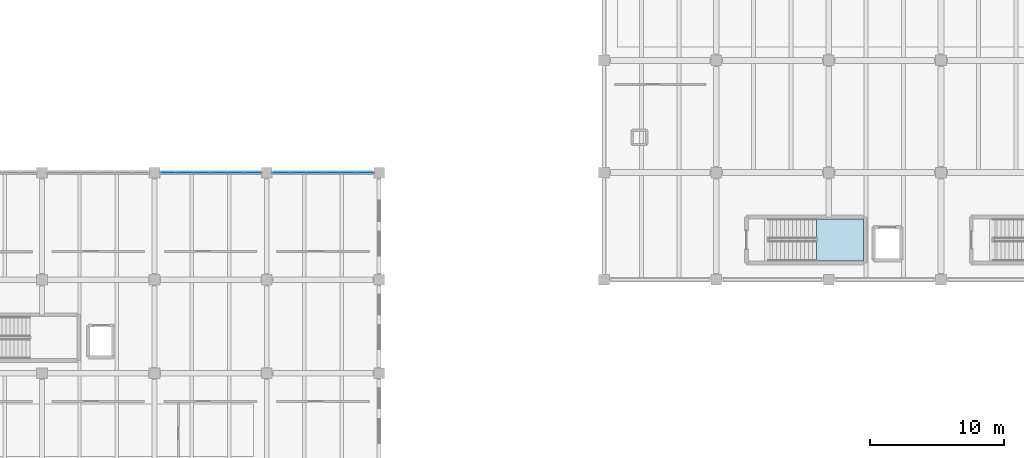
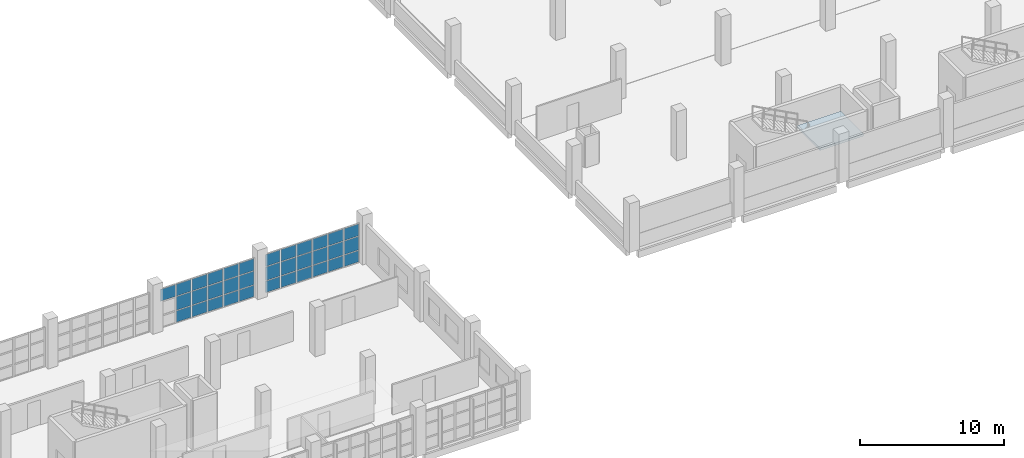
# One storey, part 126 of 177: 34 plates, 1 slab, 3 elements without a shape of their own.
"""IFC4 building model written with IfcOpenShell, lengths in metres."""

from ifc_helpers import new_model, si_unit, direction, frame, origin, origin_2d, place, context, subcontext, project, spatial, polyline, rectangle, outline, extrude, material, layer, layer_set, type_object, element, aggregate, save


model = new_model("IFC4")

# Units and contexts
model_context = context("Model", 3, precision=1e-05, world=origin(), true_north=direction((0.0, 1.0)))
body_context = subcontext(model_context, "Body", "Model", "MODEL_VIEW")
ifc_project = project(units=[si_unit("LENGTHUNIT", "METRE"), si_unit("AREAUNIT", "SQUARE_METRE"), si_unit("VOLUMEUNIT", "CUBIC_METRE"), si_unit("PLANEANGLEUNIT", "RADIAN"), si_unit("MASSUNIT", "GRAM", prefix="KILO"), si_unit("THERMODYNAMICTEMPERATUREUNIT", "KELVIN"), si_unit("POWERUNIT", "WATT")], contexts=[model_context])

# Site, building, storey
site_placement = place(None, origin())
site = spatial("IfcSite", under=ifc_project, at=site_placement, CompositionType="ELEMENT")
building_placement = place(site_placement, origin())
building = spatial("IfcBuilding", under=site, at=building_placement, Name="Mavoryth Pier Ferry Terminal", CompositionType="ELEMENT")
storey_placement = place(building_placement, frame((0.0, 0.0, 5.43994140625)))
storey = spatial("IfcBuildingStorey", under=building, at=storey_placement, Name="L01", CompositionType="ELEMENT", Elevation=5.43994140625)

# Curtain wall, plates
ifc_material_1 = material(Name="Anodised Aluminium and Solar-Control Low-E Glass", Category="aluminium")
ifc_layer_1 = layer(ifc_material_1, 0.239990234375, Name="Anodised Aluminium and Solar-Control Low-E Glass", Category="aluminium")
ifc_layer_set_1 = layer_set([ifc_layer_1], Name="Anodised Aluminium and Solar-Control Low-E Glass - CW-Operations-Mod1200")
curtain_wall_type = type_object("IfcCurtainWallType", Name="CW-Operations-Mod1200", PredefinedType="USERDEFINED", material=ifc_layer_set_1)
curtain_wall_1_placement = place(storey_placement, origin())
curtain_wall_1 = element("IfcCurtainWall", 1, at=curtain_wall_1_placement, inside=storey, type_object=curtain_wall_type, Name="Curtain Wall CW-0122-117", ObjectType="UNITISED CURTAIN WALL", PredefinedType="USERDEFINED")
ifc_material_2 = material(Name="Solar-Control Low-E Laminated Double Glazing", Category="glass")
ifc_layer_2 = layer(ifc_material_2, 0.02392578125, Name="Solar-Control Low-E Laminated Double Glazing", Category="glass")
ifc_layer_set_2 = layer_set([ifc_layer_2], Name="Solar-Control Low-E Laminated Double Glazing - Panel-LowE-DGU-24")
plate_type = type_object("IfcPlateType", Name="Panel-LowE-DGU-24", PredefinedType="CURTAIN_PANEL", material=ifc_layer_set_2)
plate_1_placement = place(storey_placement, frame((82.95166015625, 22.0, 0.06005859375), z_axis=(0.0, 0.0, 1.0), x_axis=(-1.0, 0.0, 0.0)))
plate_1 = element("IfcPlate", 2, at=plate_1_placement, type_object=plate_type, Name="CW06 panel 1.1", PredefinedType="CURTAIN_PANEL", context=body_context, shape_type="SweptSolid", body=[
    extrude(rectangle(XDim=1.1767578125, YDim=0.02392578125, at=origin_2d()), origin(), (0.0, 0.0, 1.0), 0.9599609375),
])
plate_2_placement = place(storey_placement, frame((82.95166015625, 22.0, 1.080078125), z_axis=(0.0, 0.0, 1.0), x_axis=(-1.0, 0.0, 0.0)))
plate_2 = element("IfcPlate", 3, at=plate_2_placement, type_object=plate_type, Name="CW06 panel 1.2", PredefinedType="CURTAIN_PANEL", context=body_context, shape_type="SweptSolid", body=[
    extrude(rectangle(XDim=1.1767578125, YDim=0.02392578125, at=origin_2d()), origin(), (0.0, 0.0, 1.0), 1.139892578125),
])
plate_3_placement = place(storey_placement, frame((82.95166015625, 22.0, 2.280029296875), z_axis=(0.0, 0.0, 1.0), x_axis=(-1.0, 0.0, 0.0)))
plate_3 = element("IfcPlate", 4, at=plate_3_placement, type_object=plate_type, Name="CW06 panel 1.3", PredefinedType="CURTAIN_PANEL", context=body_context, shape_type="SweptSolid", body=[
    extrude(rectangle(XDim=1.1767578125, YDim=0.02392578125, at=origin_2d()), origin(), (0.0, 0.0, 1.0), 1.0048828125),
])
plate_4_placement = place(storey_placement, frame((81.699951171875, 22.0, 0.06005859375), z_axis=(0.0, 0.0, 1.0), x_axis=(-1.0, 0.0, 0.0)))
plate_4 = element("IfcPlate", 5, at=plate_4_placement, type_object=plate_type, Name="CW06 panel 2.1", PredefinedType="CURTAIN_PANEL", context=body_context, shape_type="SweptSolid", body=[
    extrude(rectangle(XDim=1.206787109375, YDim=0.02392578125, at=origin_2d()), origin(), (0.0, 0.0, 1.0), 0.9599609375),
])
plate_5_placement = place(storey_placement, frame((81.699951171875, 22.0, 1.080078125), z_axis=(0.0, 0.0, 1.0), x_axis=(-1.0, 0.0, 0.0)))
plate_5 = element("IfcPlate", 6, at=plate_5_placement, type_object=plate_type, Name="CW06 panel 2.2", PredefinedType="CURTAIN_PANEL", context=body_context, shape_type="SweptSolid", body=[
    extrude(rectangle(XDim=1.206787109375, YDim=0.02392578125, at=origin_2d()), origin(), (0.0, 0.0, 1.0), 1.139892578125),
])
plate_6_placement = place(storey_placement, frame((81.699951171875, 22.0, 2.280029296875), z_axis=(0.0, 0.0, 1.0), x_axis=(-1.0, 0.0, 0.0)))
plate_6 = element("IfcPlate", 7, at=plate_6_placement, type_object=plate_type, Name="CW06 panel 2.3", PredefinedType="CURTAIN_PANEL", context=body_context, shape_type="SweptSolid", body=[
    extrude(rectangle(XDim=1.206787109375, YDim=0.02392578125, at=origin_2d()), origin(), (0.0, 0.0, 1.0), 1.0048828125),
])
plate_7_placement = place(storey_placement, frame((80.433349609375, 22.0, 0.06005859375), z_axis=(0.0, 0.0, 1.0), x_axis=(-1.0, 0.0, 0.0)))
plate_7 = element("IfcPlate", 8, at=plate_7_placement, type_object=plate_type, Name="CW06 panel 3.1", PredefinedType="CURTAIN_PANEL", context=body_context, shape_type="SweptSolid", body=[
    extrude(rectangle(XDim=1.206787109375, YDim=0.02392578125, at=origin_2d()), origin(), (0.0, 0.0, 1.0), 0.9599609375),
])
plate_8_placement = place(storey_placement, frame((80.433349609375, 22.0, 1.080078125), z_axis=(0.0, 0.0, 1.0), x_axis=(-1.0, 0.0, 0.0)))
plate_8 = element("IfcPlate", 9, at=plate_8_placement, type_object=plate_type, Name="CW06 panel 3.2", PredefinedType="CURTAIN_PANEL", context=body_context, shape_type="SweptSolid", body=[
    extrude(rectangle(XDim=1.206787109375, YDim=0.02392578125, at=origin_2d()), origin(), (0.0, 0.0, 1.0), 1.139892578125),
])
plate_9_placement = place(storey_placement, frame((80.433349609375, 22.0, 2.280029296875), z_axis=(0.0, 0.0, 1.0), x_axis=(-1.0, 0.0, 0.0)))
plate_9 = element("IfcPlate", 10, at=plate_9_placement, type_object=plate_type, Name="CW06 panel 3.3", PredefinedType="CURTAIN_PANEL", context=body_context, shape_type="SweptSolid", body=[
    extrude(rectangle(XDim=1.206787109375, YDim=0.02392578125, at=origin_2d()), origin(), (0.0, 0.0, 1.0), 1.0048828125),
])
plate_10_placement = place(storey_placement, frame((79.166748046875, 22.0, 0.06005859375), z_axis=(0.0, 0.0, 1.0), x_axis=(-1.0, 0.0, 0.0)))
plate_10 = element("IfcPlate", 11, at=plate_10_placement, type_object=plate_type, Name="CW06 panel 4.1", PredefinedType="CURTAIN_PANEL", context=body_context, shape_type="SweptSolid", body=[
    extrude(rectangle(XDim=1.206787109375, YDim=0.02392578125, at=origin_2d()), origin(), (0.0, 0.0, 1.0), 0.9599609375),
])
plate_11_placement = place(storey_placement, frame((79.166748046875, 22.0, 1.080078125), z_axis=(0.0, 0.0, 1.0), x_axis=(-1.0, 0.0, 0.0)))
plate_11 = element("IfcPlate", 12, at=plate_11_placement, type_object=plate_type, Name="CW06 panel 4.2", PredefinedType="CURTAIN_PANEL", context=body_context, shape_type="SweptSolid", body=[
    extrude(rectangle(XDim=1.206787109375, YDim=0.02392578125, at=origin_2d()), origin(), (0.0, 0.0, 1.0), 1.139892578125),
])
plate_12_placement = place(storey_placement, frame((79.166748046875, 22.0, 2.280029296875), z_axis=(0.0, 0.0, 1.0), x_axis=(-1.0, 0.0, 0.0)))
plate_12 = element("IfcPlate", 13, at=plate_12_placement, type_object=plate_type, Name="CW06 panel 4.3", PredefinedType="CURTAIN_PANEL", context=body_context, shape_type="SweptSolid", body=[
    extrude(rectangle(XDim=1.206787109375, YDim=0.02392578125, at=origin_2d()), origin(), (0.0, 0.0, 1.0), 1.0048828125),
])
plate_13_placement = place(storey_placement, frame((77.89990234375, 22.0, 0.06005859375), z_axis=(0.0, 0.0, 1.0), x_axis=(-1.0, 0.0, 0.0)))
plate_13 = element("IfcPlate", 14, at=plate_13_placement, type_object=plate_type, Name="CW06 panel 5.1", PredefinedType="CURTAIN_PANEL", context=body_context, shape_type="SweptSolid", body=[
    extrude(rectangle(XDim=1.206787109375, YDim=0.02392578125, at=origin_2d()), origin(), (0.0, 0.0, 1.0), 0.9599609375),
])
plate_14_placement = place(storey_placement, frame((77.89990234375, 22.0, 1.080078125), z_axis=(0.0, 0.0, 1.0), x_axis=(-1.0, 0.0, 0.0)))
plate_14 = element("IfcPlate", 15, at=plate_14_placement, type_object=plate_type, Name="CW06 panel 5.2", PredefinedType="CURTAIN_PANEL", context=body_context, shape_type="SweptSolid", body=[
    extrude(rectangle(XDim=1.206787109375, YDim=0.02392578125, at=origin_2d()), origin(), (0.0, 0.0, 1.0), 1.139892578125),
])
plate_15_placement = place(storey_placement, frame((77.89990234375, 22.0, 2.280029296875), z_axis=(0.0, 0.0, 1.0), x_axis=(-1.0, 0.0, 0.0)))
plate_15 = element("IfcPlate", 16, at=plate_15_placement, type_object=plate_type, Name="CW06 panel 5.3", PredefinedType="CURTAIN_PANEL", context=body_context, shape_type="SweptSolid", body=[
    extrude(rectangle(XDim=1.206787109375, YDim=0.02392578125, at=origin_2d()), origin(), (0.0, 0.0, 1.0), 1.0048828125),
])
plate_16_placement = place(storey_placement, frame((76.6484375, 22.0, 2.280029296875), z_axis=(0.0, 0.0, 1.0), x_axis=(-1.0, 0.0, 0.0)))
plate_16 = element("IfcPlate", 17, at=plate_16_placement, type_object=plate_type, Name="CW06 panel 6.3", PredefinedType="CURTAIN_PANEL", context=body_context, shape_type="SweptSolid", body=[
    extrude(rectangle(XDim=1.1767578125, YDim=0.02392578125, at=origin_2d()), origin(), (0.0, 0.0, 1.0), 1.0048828125),
])
aggregate(curtain_wall_1, [plate_1, plate_2, plate_3, plate_4, plate_5, plate_6, plate_7, plate_8, plate_9, plate_10, plate_11, plate_12, plate_13, plate_14, plate_15, plate_16])

curtain_wall_2_placement = place(storey_placement, origin())
curtain_wall_2 = element("IfcCurtainWall", 18, at=curtain_wall_2_placement, inside=storey, type_object=curtain_wall_type, Name="Curtain Wall CW-0122-119", ObjectType="UNITISED CURTAIN WALL", PredefinedType="USERDEFINED")
plate_17_placement = place(storey_placement, frame((91.3515625, 22.0, 0.06005859375), z_axis=(0.0, 0.0, 1.0), x_axis=(-1.0, 0.0, 0.0)))
plate_17 = element("IfcPlate", 19, at=plate_17_placement, type_object=plate_type, Name="CW06 panel 1.1", PredefinedType="CURTAIN_PANEL", context=body_context, shape_type="SweptSolid", body=[
    extrude(rectangle(XDim=1.1767578125, YDim=0.02392578125, at=origin_2d()), origin(), (0.0, 0.0, 1.0), 0.9599609375),
])
plate_18_placement = place(storey_placement, frame((91.3515625, 22.0, 1.080078125), z_axis=(0.0, 0.0, 1.0), x_axis=(-1.0, 0.0, 0.0)))
plate_18 = element("IfcPlate", 20, at=plate_18_placement, type_object=plate_type, Name="CW06 panel 1.2", PredefinedType="CURTAIN_PANEL", context=body_context, shape_type="SweptSolid", body=[
    extrude(rectangle(XDim=1.1767578125, YDim=0.02392578125, at=origin_2d()), origin(), (0.0, 0.0, 1.0), 1.139892578125),
])
plate_19_placement = place(storey_placement, frame((91.3515625, 22.0, 2.280029296875), z_axis=(0.0, 0.0, 1.0), x_axis=(-1.0, 0.0, 0.0)))
plate_19 = element("IfcPlate", 21, at=plate_19_placement, type_object=plate_type, Name="CW06 panel 1.3", PredefinedType="CURTAIN_PANEL", context=body_context, shape_type="SweptSolid", body=[
    extrude(rectangle(XDim=1.1767578125, YDim=0.02392578125, at=origin_2d()), origin(), (0.0, 0.0, 1.0), 1.0048828125),
])
plate_20_placement = place(storey_placement, frame((90.10009765625, 22.0, 0.06005859375), z_axis=(0.0, 0.0, 1.0), x_axis=(-1.0, 0.0, 0.0)))
plate_20 = element("IfcPlate", 22, at=plate_20_placement, type_object=plate_type, Name="CW06 panel 2.1", PredefinedType="CURTAIN_PANEL", context=body_context, shape_type="SweptSolid", body=[
    extrude(rectangle(XDim=1.206787109375, YDim=0.02392578125, at=origin_2d()), origin(), (0.0, 0.0, 1.0), 0.9599609375),
])
plate_21_placement = place(storey_placement, frame((90.10009765625, 22.0, 1.080078125), z_axis=(0.0, 0.0, 1.0), x_axis=(-1.0, 0.0, 0.0)))
plate_21 = element("IfcPlate", 23, at=plate_21_placement, type_object=plate_type, Name="CW06 panel 2.2", PredefinedType="CURTAIN_PANEL", context=body_context, shape_type="SweptSolid", body=[
    extrude(rectangle(XDim=1.206787109375, YDim=0.02392578125, at=origin_2d()), origin(), (0.0, 0.0, 1.0), 1.139892578125),
])
plate_22_placement = place(storey_placement, frame((90.10009765625, 22.0, 2.280029296875), z_axis=(0.0, 0.0, 1.0), x_axis=(-1.0, 0.0, 0.0)))
plate_22 = element("IfcPlate", 24, at=plate_22_placement, type_object=plate_type, Name="CW06 panel 2.3", PredefinedType="CURTAIN_PANEL", context=body_context, shape_type="SweptSolid", body=[
    extrude(rectangle(XDim=1.206787109375, YDim=0.02392578125, at=origin_2d()), origin(), (0.0, 0.0, 1.0), 1.0048828125),
])
plate_23_placement = place(storey_placement, frame((88.833251953125, 22.0, 0.06005859375), z_axis=(0.0, 0.0, 1.0), x_axis=(-1.0, 0.0, 0.0)))
plate_23 = element("IfcPlate", 25, at=plate_23_placement, type_object=plate_type, Name="CW06 panel 3.1", PredefinedType="CURTAIN_PANEL", context=body_context, shape_type="SweptSolid", body=[
    extrude(rectangle(XDim=1.206787109375, YDim=0.02392578125, at=origin_2d()), origin(), (0.0, 0.0, 1.0), 0.9599609375),
])
plate_24_placement = place(storey_placement, frame((88.833251953125, 22.0, 1.080078125), z_axis=(0.0, 0.0, 1.0), x_axis=(-1.0, 0.0, 0.0)))
plate_24 = element("IfcPlate", 26, at=plate_24_placement, type_object=plate_type, Name="CW06 panel 3.2", PredefinedType="CURTAIN_PANEL", context=body_context, shape_type="SweptSolid", body=[
    extrude(rectangle(XDim=1.206787109375, YDim=0.02392578125, at=origin_2d()), origin(), (0.0, 0.0, 1.0), 1.139892578125),
])
plate_25_placement = place(storey_placement, frame((88.833251953125, 22.0, 2.280029296875), z_axis=(0.0, 0.0, 1.0), x_axis=(-1.0, 0.0, 0.0)))
plate_25 = element("IfcPlate", 27, at=plate_25_placement, type_object=plate_type, Name="CW06 panel 3.3", PredefinedType="CURTAIN_PANEL", context=body_context, shape_type="SweptSolid", body=[
    extrude(rectangle(XDim=1.206787109375, YDim=0.02392578125, at=origin_2d()), origin(), (0.0, 0.0, 1.0), 1.0048828125),
])
plate_26_placement = place(storey_placement, frame((87.566650390625, 22.0, 0.06005859375), z_axis=(0.0, 0.0, 1.0), x_axis=(-1.0, 0.0, 0.0)))
plate_26 = element("IfcPlate", 28, at=plate_26_placement, type_object=plate_type, Name="CW06 panel 4.1", PredefinedType="CURTAIN_PANEL", context=body_context, shape_type="SweptSolid", body=[
    extrude(rectangle(XDim=1.206787109375, YDim=0.02392578125, at=origin_2d()), origin(), (0.0, 0.0, 1.0), 0.9599609375),
])
plate_27_placement = place(storey_placement, frame((87.566650390625, 22.0, 1.080078125), z_axis=(0.0, 0.0, 1.0), x_axis=(-1.0, 0.0, 0.0)))
plate_27 = element("IfcPlate", 29, at=plate_27_placement, type_object=plate_type, Name="CW06 panel 4.2", PredefinedType="CURTAIN_PANEL", context=body_context, shape_type="SweptSolid", body=[
    extrude(rectangle(XDim=1.206787109375, YDim=0.02392578125, at=origin_2d()), origin(), (0.0, 0.0, 1.0), 1.139892578125),
])
plate_28_placement = place(storey_placement, frame((87.566650390625, 22.0, 2.280029296875), z_axis=(0.0, 0.0, 1.0), x_axis=(-1.0, 0.0, 0.0)))
plate_28 = element("IfcPlate", 30, at=plate_28_placement, type_object=plate_type, Name="CW06 panel 4.3", PredefinedType="CURTAIN_PANEL", context=body_context, shape_type="SweptSolid", body=[
    extrude(rectangle(XDim=1.206787109375, YDim=0.02392578125, at=origin_2d()), origin(), (0.0, 0.0, 1.0), 1.0048828125),
])
plate_29_placement = place(storey_placement, frame((86.300048828125, 22.0, 0.06005859375), z_axis=(0.0, 0.0, 1.0), x_axis=(-1.0, 0.0, 0.0)))
plate_29 = element("IfcPlate", 31, at=plate_29_placement, type_object=plate_type, Name="CW06 panel 5.1", PredefinedType="CURTAIN_PANEL", context=body_context, shape_type="SweptSolid", body=[
    extrude(rectangle(XDim=1.206787109375, YDim=0.02392578125, at=origin_2d()), origin(), (0.0, 0.0, 1.0), 0.9599609375),
])
plate_30_placement = place(storey_placement, frame((86.300048828125, 22.0, 1.080078125), z_axis=(0.0, 0.0, 1.0), x_axis=(-1.0, 0.0, 0.0)))
plate_30 = element("IfcPlate", 32, at=plate_30_placement, type_object=plate_type, Name="CW06 panel 5.2", PredefinedType="CURTAIN_PANEL", context=body_context, shape_type="SweptSolid", body=[
    extrude(rectangle(XDim=1.206787109375, YDim=0.02392578125, at=origin_2d()), origin(), (0.0, 0.0, 1.0), 1.139892578125),
])
plate_31_placement = place(storey_placement, frame((86.300048828125, 22.0, 2.280029296875), z_axis=(0.0, 0.0, 1.0), x_axis=(-1.0, 0.0, 0.0)))
plate_31 = element("IfcPlate", 33, at=plate_31_placement, type_object=plate_type, Name="CW06 panel 5.3", PredefinedType="CURTAIN_PANEL", context=body_context, shape_type="SweptSolid", body=[
    extrude(rectangle(XDim=1.206787109375, YDim=0.02392578125, at=origin_2d()), origin(), (0.0, 0.0, 1.0), 1.0048828125),
])
plate_32_placement = place(storey_placement, frame((85.04833984375, 22.0, 0.06005859375), z_axis=(0.0, 0.0, 1.0), x_axis=(-1.0, 0.0, 0.0)))
plate_32 = element("IfcPlate", 34, at=plate_32_placement, type_object=plate_type, Name="CW06 panel 6.1", PredefinedType="CURTAIN_PANEL", context=body_context, shape_type="SweptSolid", body=[
    extrude(rectangle(XDim=1.1767578125, YDim=0.02392578125, at=origin_2d()), origin(), (0.0, 0.0, 1.0), 0.9599609375),
])
plate_33_placement = place(storey_placement, frame((85.04833984375, 22.0, 1.080078125), z_axis=(0.0, 0.0, 1.0), x_axis=(-1.0, 0.0, 0.0)))
plate_33 = element("IfcPlate", 35, at=plate_33_placement, type_object=plate_type, Name="CW06 panel 6.2", PredefinedType="CURTAIN_PANEL", context=body_context, shape_type="SweptSolid", body=[
    extrude(rectangle(XDim=1.1767578125, YDim=0.02392578125, at=origin_2d()), origin(), (0.0, 0.0, 1.0), 1.139892578125),
])
plate_34_placement = place(storey_placement, frame((85.04833984375, 22.0, 2.280029296875), z_axis=(0.0, 0.0, 1.0), x_axis=(-1.0, 0.0, 0.0)))
plate_34 = element("IfcPlate", 36, at=plate_34_placement, type_object=plate_type, Name="CW06 panel 6.3", PredefinedType="CURTAIN_PANEL", context=body_context, shape_type="SweptSolid", body=[
    extrude(rectangle(XDim=1.1767578125, YDim=0.02392578125, at=origin_2d()), origin(), (0.0, 0.0, 1.0), 1.0048828125),
])
aggregate(curtain_wall_2, [plate_17, plate_18, plate_19, plate_20, plate_21, plate_22, plate_23, plate_24, plate_25, plate_26, plate_27, plate_28, plate_29, plate_30, plate_31, plate_32, plate_33, plate_34])

# Stair, slab
ifc_material_3 = material(Name="Concrete C35/45", Category="concrete")
stair_type = type_object("IfcStairType", Name="Stair-Core-W1500", PredefinedType="TWO_STRAIGHT_RUN_STAIR", material=ifc_material_3)
stair_placement = place(storey_placement, origin())
stair = element("IfcStair", 37, at=stair_placement, inside=storey, type_object=stair_type, Name="L01 Core C4A Stair", PredefinedType="TWO_STRAIGHT_RUN_STAIR")
ifc_layer_3 = layer(ifc_material_3, 0.199951171875, Name="Concrete C35/45", Category="concrete")
ifc_layer_set_3 = layer_set([ifc_layer_3], Name="Concrete C35/45 - Slab-Landing-RC-200")
slab_type = type_object("IfcSlabType", Name="Slab-Landing-RC-200", PredefinedType="LANDING", material=ifc_layer_set_3)
slab_placement = place(storey_placement, frame((0.0, 0.0, 1.880126953125)))
slab = element("IfcSlab", 38, at=slab_placement, type_object=slab_type, Name="ST08 landing 1", PredefinedType="LANDING", context=body_context, shape_type="SweptSolid", body=[
    extrude(outline(polyline([(125.10009765625, 15.39990234375), (128.60009765625, 15.39990234375), (128.60009765625, 18.550048828125), (125.10009765625, 18.550048828125), (125.10009765625, 15.39990234375)])), origin(), (0.0, 0.0, 1.0), 0.199951171875),
])
aggregate(stair, [slab])

save(model, "model.ifc")
